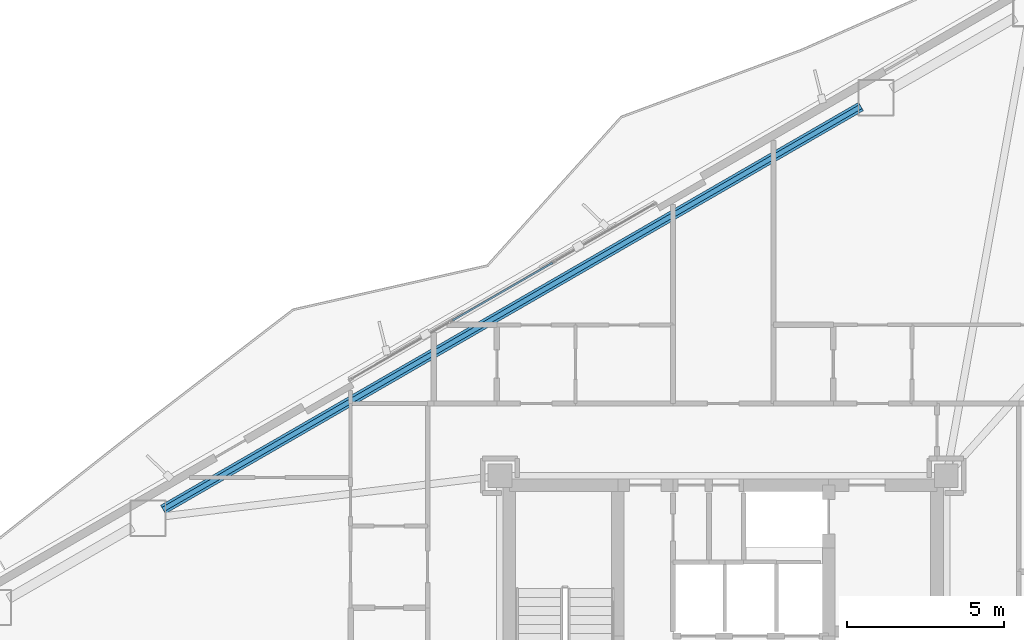
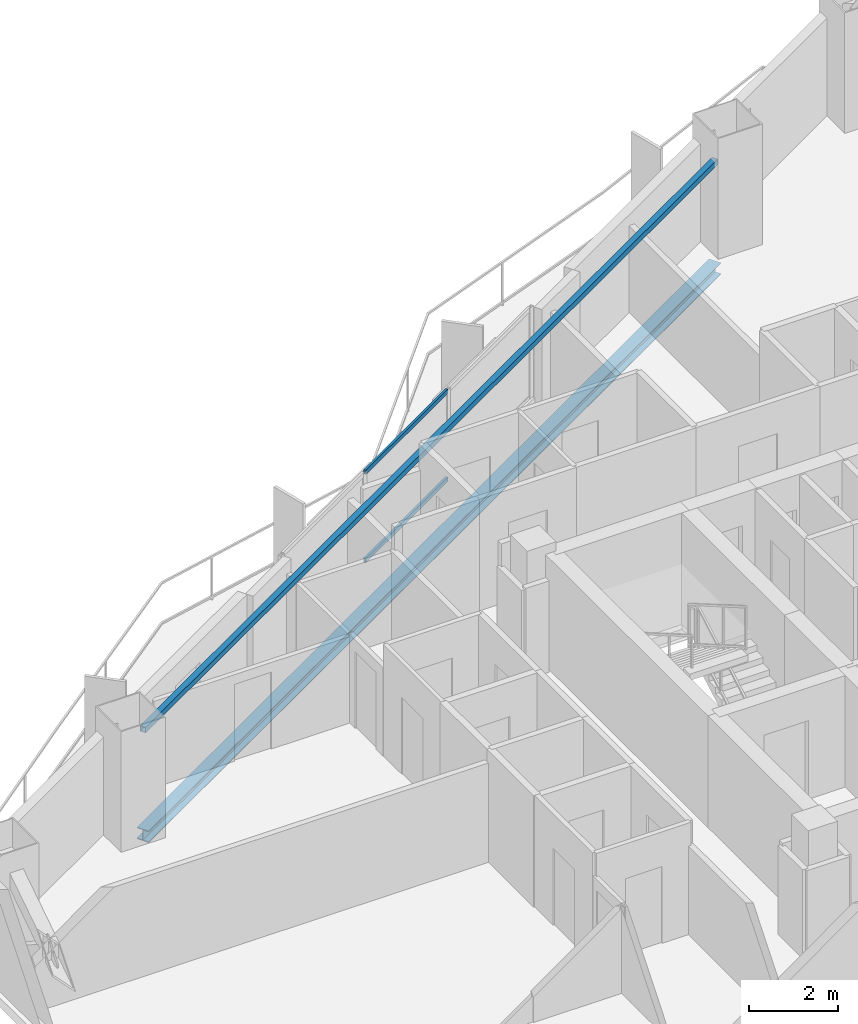
# One storey, part 12 of 23: 2 beams, 2 members, 1 element without a shape of its own.
"""IFC4 building model written with IfcOpenShell, lengths in metres."""

import ifcopenshell
import ifcopenshell.guid

model = None  # the IFC model being written
_history = None  # IfcOwnerHistory: only IFC2X3 demands one
_inside = {}  # id of a spatial element -> (the spatial element, [elements in it])
_under = {}  # id of a project, library or spatial element -> (it, [spatial elements below it])
_declared = {}  # id of a project -> (the project, [libraries it declares])
_typed = {}  # id of a type object -> (the type object, [elements of that type])
_made_of = {}  # id of a material, layer set ... -> (it, [elements and type objects made of it])


def new_model(schema):
    """Start an empty IFC model of exactly this schema.

    Asked for "IFC4X3", IfcOpenShell would pick the latest addendum, in which some entities
    have other attributes; the version numbers below select the first issue.
    IFC2X3 requires an IfcOwnerHistory on every rooted entity: one is made here for all.
    """
    global model, _history
    if schema == "IFC4X3":
        model = ifcopenshell.file(schema_version=(4, 3, 0, 0))
    else:
        model = ifcopenshell.file(schema=schema)
    _inside.clear()
    _under.clear()
    _declared.clear()
    _typed.clear()
    _made_of.clear()
    _history = None
    if model.schema == "IFC2X3":
        org = make("IfcOrganization", Name="unknown")
        user = make(
            "IfcPersonAndOrganization",
            ThePerson=make("IfcPerson", FamilyName="unknown"),
            TheOrganization=org,
        )
        app = make(
            "IfcApplication",
            ApplicationDeveloper=org,
            Version="unknown",
            ApplicationFullName="unknown",
            ApplicationIdentifier="unknown",
        )
        _history = make(
            "IfcOwnerHistory",
            OwningUser=user,
            OwningApplication=app,
            ChangeAction="ADDED",
            CreationDate=0,
        )
    return model


def make(cls, **values):
    """One entity of the class cls with the attributes given. An attribute that is None is left unset."""
    return model.create_entity(
        cls, **{name: value for name, value in values.items() if value is not None}
    )


def rooted(cls, **values):
    """An entity with a GlobalId (a new one), such as an element, a storey or a relation."""
    return make(cls, GlobalId=ifcopenshell.guid.new(), OwnerHistory=_history, **values)


def si_unit(unit_type, name, prefix=None):
    """IfcSIUnit, for example si_unit("LENGTHUNIT", "METRE", prefix="MILLI")."""
    return make("IfcSIUnit", UnitType=unit_type, Prefix=prefix, Name=name)


def assignment(units):
    """IfcUnitAssignment: the units of a project."""
    return None if units is None else make("IfcUnitAssignment", Units=units)


def point(xyz):
    """IfcCartesianPoint."""
    return None if xyz is None else make("IfcCartesianPoint", Coordinates=xyz)


def direction(xyz):
    """IfcDirection."""
    return None if xyz is None else make("IfcDirection", DirectionRatios=xyz)


def frame(location, z_axis=None, x_axis=None):
    """IfcAxis2Placement3D, a coordinate frame: its origin and axes. An axis left out is left unset."""
    return make(
        "IfcAxis2Placement3D",
        Location=point(location),
        Axis=direction(z_axis),
        RefDirection=direction(x_axis),
    )


def frame_2d(location, x_axis=None):
    """IfcAxis2Placement2D, a coordinate frame in the plane: its origin and x axis."""
    return make(
        "IfcAxis2Placement2D", Location=point(location), RefDirection=direction(x_axis)
    )


def origin():
    """The frame at (0, 0, 0) with its axes left unset."""
    return frame((0.0, 0.0, 0.0))


def origin_2d():
    """The frame at (0, 0) in the plane with its x axis left unset."""
    return frame_2d((0.0, 0.0))


def place(relative_to, where):
    """IfcLocalPlacement: puts the frame where relative to a parent placement (None: the world)."""
    return make(
        "IfcLocalPlacement", PlacementRelTo=relative_to, RelativePlacement=where
    )


def context(
    kind, dimensions, precision=None, world=None, true_north=None, identifier=None
):
    """IfcGeometricRepresentationContext, for example the 3D "Model" context."""
    return make(
        "IfcGeometricRepresentationContext",
        ContextIdentifier=identifier,
        ContextType=kind,
        CoordinateSpaceDimension=dimensions,
        Precision=precision,
        WorldCoordinateSystem=world,
        TrueNorth=true_north,
    )


def subcontext(parent, identifier, kind, view, scale=None):
    """IfcGeometricRepresentationSubContext, for example "Body" below "Model"."""
    return make(
        "IfcGeometricRepresentationSubContext",
        ContextIdentifier=identifier,
        ContextType=kind,
        ParentContext=parent,
        TargetScale=scale,
        TargetView=view,
    )


def project(units=None, contexts=None):
    """IfcProject with its units and contexts."""
    return rooted(
        "IfcProject",
        Name="project",
        RepresentationContexts=contexts,
        UnitsInContext=assignment(units),
    )


def spatial(cls, under=None, at=None, **own):
    """A site, building, storey or space (cls), placed at a placement, below another one or the project."""
    s = rooted(cls, ObjectPlacement=at, **own)
    if under is not None:
        _under.setdefault(under.id(), (under, []))[1].append(s)
    return s


def profile(cls, at=None, kind="AREA", **sizes):
    """A parametric profile (cls). Its sizes go by their IFC names, for example OverallWidth=200.0."""
    return make(cls, ProfileType=kind, Position=at, **sizes)


def hollow_rectangle(**sizes):
    """IfcRectangleHollowProfileDef."""
    return profile("IfcRectangleHollowProfileDef", **sizes)


def i_section(**sizes):
    """IfcIShapeProfileDef."""
    return profile("IfcIShapeProfileDef", **sizes)


def extrude(swept, where, along, depth):
    """IfcExtrudedAreaSolid: the profile swept, set in the frame where, extruded along a direction by depth."""
    return make(
        "IfcExtrudedAreaSolid",
        SweptArea=swept,
        Position=where,
        ExtrudedDirection=direction(along),
        Depth=depth,
    )


def shape(context_of_items, identifier, shape_type, items):
    """IfcShapeRepresentation: the items that make up one representation, for example the "Body"."""
    return make(
        "IfcShapeRepresentation",
        ContextOfItems=context_of_items,
        RepresentationIdentifier=identifier,
        RepresentationType=shape_type,
        Items=items,
    )


def material(Name=None, Category=None):
    """IfcMaterial."""
    return make("IfcMaterial", Name=Name, Category=Category)


def layer(
    of_material, thickness, ventilated=None, Name=None, Category=None, Priority=None
):
    """IfcMaterialLayer: one layer of a wall or slab, of a material (None: an air gap)."""
    return make(
        "IfcMaterialLayer",
        Material=of_material,
        LayerThickness=thickness,
        IsVentilated=ventilated,
        Name=Name,
        Category=Category,
        Priority=Priority,
    )


def layer_set(layers, Name=None):
    """IfcMaterialLayerSet."""
    return make("IfcMaterialLayerSet", MaterialLayers=layers, LayerSetName=Name)


def material_profile(
    of_material, cross_section, Name=None, Category=None, Priority=None
):
    """IfcMaterialProfile: a cross section and its material."""
    return make(
        "IfcMaterialProfile",
        Name=Name,
        Material=of_material,
        Profile=cross_section,
        Priority=Priority,
        Category=Category,
    )


def profile_set(profiles, Name=None, composite=None):
    """IfcMaterialProfileSet."""
    return make(
        "IfcMaterialProfileSet",
        Name=Name,
        MaterialProfiles=profiles,
        CompositeProfile=composite,
    )


def made_of(thing, what):
    """Note that an element or type object is made of a material, layer set ...; save() writes the relation."""
    if what is not None:
        _made_of.setdefault(what.id(), (what, []))[1].append(thing)
    return thing


def type_object(cls, material=None, **own):
    """A type object (cls), such as IfcWallType, which elements share."""
    return made_of(rooted(cls, **own), material)


def element(
    cls,
    number,
    at=None,
    inside=None,
    cuts=None,
    type_object=None,
    material=None,
    context=None,
    identifier="Body",
    shape_type=None,
    held_by="IfcProductDefinitionShape",
    body=None,
    shapes=None,
    **own,
):
    """One element of the class cls, such as IfcWall. Its Tag is "e" and its number.

    at: its placement. inside: the storey or other place that contains it. cuts: it is an
    opening in that element (IfcRelVoidsElement). A single representation is given by context,
    identifier, shape_type and body (its items); several are given by shapes. held_by: the class
    of the entity that holds the representations. save() writes the other relations.
    """
    e = rooted(cls, Tag="e%d" % number, ObjectPlacement=at, **own)
    if body is not None:
        shapes = [shape(context, identifier, shape_type, body)]
    if shapes is not None:
        e.Representation = make(held_by, Representations=shapes)
    if inside is not None:
        _inside.setdefault(inside.id(), (inside, []))[1].append(e)
    if cuts is not None:
        rooted(
            "IfcRelVoidsElement", RelatingBuildingElement=cuts, RelatedOpeningElement=e
        )
    if type_object is not None:
        _typed.setdefault(type_object.id(), (type_object, []))[1].append(e)
    return made_of(e, material)


def aggregate(whole, parts):
    """IfcRelAggregates: a whole, such as a stair, and the parts it consists of."""
    return rooted("IfcRelAggregates", RelatingObject=whole, RelatedObjects=parts)


def save(model, path):
    """Write the relations noted so far, then the file.

    IfcRelAggregates (storeys below a building ...), IfcRelContainedInSpatialStructure (elements
    in a storey), IfcRelDefinesByType, IfcRelAssociatesMaterial and IfcRelDeclares: one each for
    every whole, place, type object, material and project.
    """
    for whole, parts in _under.values():
        aggregate(whole, parts)
    for where, things in _inside.values():
        rooted(
            "IfcRelContainedInSpatialStructure",
            RelatedElements=things,
            RelatingStructure=where,
        )
    for kind, things in _typed.values():
        rooted("IfcRelDefinesByType", RelatedObjects=things, RelatingType=kind)
    for what, things in _made_of.values():
        rooted("IfcRelAssociatesMaterial", RelatedObjects=things, RelatingMaterial=what)
    for by, libraries in _declared.values():
        rooted("IfcRelDeclares", RelatingContext=by, RelatedDefinitions=libraries)
    model.write(path)


model = new_model("IFC4")

# Units and contexts
model_context = context("Model", 3, precision=1e-05, world=origin(), true_north=direction((0.0, 1.0)))
body_context = subcontext(model_context, "Body", "Model", "MODEL_VIEW")
ifc_project = project(units=[si_unit("LENGTHUNIT", "METRE"), si_unit("AREAUNIT", "SQUARE_METRE"), si_unit("VOLUMEUNIT", "CUBIC_METRE"), si_unit("PLANEANGLEUNIT", "RADIAN"), si_unit("MASSUNIT", "GRAM", prefix="KILO")], contexts=[model_context])

# Site, building, storey
site_placement = place(None, origin())
site = spatial("IfcSite", under=ifc_project, at=site_placement, CompositionType="ELEMENT")
building_placement = place(site_placement, origin())
building = spatial("IfcBuilding", under=site, at=building_placement, Name="Mersakhor Tower and Convention Hall", CompositionType="ELEMENT")
storey_placement = place(building_placement, frame((0.0, 0.0, 106.5)))
storey = spatial("IfcBuildingStorey", under=building, at=storey_placement, Name="L29", CompositionType="ELEMENT", Elevation=106.5)

# Beams
ifc_material_1 = material(Name="Steel S355", Category="steel")
ifc_material_profile_1 = material_profile(ifc_material_1, hollow_rectangle(XDim=0.14990234375, YDim=0.14990234375, WallThickness=0.010009765625, at=origin_2d()), Name="SHS 150x150x10")
ifc_profile_set_1 = profile_set([ifc_material_profile_1], Name="Steel S355")
beam_type_1 = type_object("IfcBeamType", Name="BM-GRT-SHS150", PredefinedType="USERDEFINED", material=ifc_profile_set_1)
beam_1_placement = place(storey_placement, frame((11.18310546875, 31.976318359375, 2.47998046875), z_axis=(0.866022538643, 0.500004962538, 0.0), x_axis=(-0.500004962538, 0.866022538643, 0.0)))
element("IfcBeam", 1, at=beam_1_placement, inside=storey, type_object=beam_type_1, Name="L29 Facade Support Girt GRT-F1", ObjectType="GIRT", PredefinedType="USERDEFINED", context=body_context, shape_type="SweptSolid", body=[
    extrude(hollow_rectangle(XDim=0.14990234375, YDim=0.14990234375, WallThickness=0.010009765625, at=origin_2d()), origin(), (0.0, 0.0, 1.0), 25.633544921875),
])
ifc_material_2 = material(Name="Steel S355", Category="steel")
ifc_material_profile_2 = material_profile(ifc_material_2, i_section(OverallWidth=0.30908203125, OverallDepth=0.320556640625, WebThickness=0.013916015625, FlangeThickness=0.021728515625, at=origin_2d()), Name="UC 305x305x137")
ifc_profile_set_2 = profile_set([ifc_material_profile_2], Name="Steel S355")
beam_type_2 = type_object("IfcBeamType", Name="BM-SPD-UC305", PredefinedType="SPANDREL", material=ifc_profile_set_2)
beam_2_placement = place(storey_placement, frame((11.18310546875, 31.976318359375, -0.410400390625), z_axis=(0.866022538643, 0.500004962538, 0.0), x_axis=(-0.500004962538, 0.866022538643, 0.0)))
element("IfcBeam", 2, at=beam_2_placement, inside=storey, type_object=beam_type_2, Name="L29 Perimeter Spandrel Beam SPB-02", PredefinedType="SPANDREL", context=body_context, shape_type="SweptSolid", body=[
    extrude(i_section(OverallWidth=0.30908203125, OverallDepth=0.320556640625, WebThickness=0.013916015625, FlangeThickness=0.021728515625, at=origin_2d()), origin(), (0.0, 0.0, 1.0), 25.633544921875),
])

# Curtain wall, members
ifc_material_3 = material(Name="Dark solar low-E aluminium curtain wall", Category="aluminium")
ifc_layer = layer(ifc_material_3, 0.159912109375)
ifc_layer_set = layer_set([ifc_layer], Name="Dark solar low-E aluminium curtain wall")
curtain_wall_type = type_object("IfcCurtainWallType", Name="CW-SYS-01", PredefinedType="USERDEFINED", material=ifc_layer_set)
curtain_wall_placement = place(storey_placement, origin())
curtain_wall = element("IfcCurtainWall", 3, at=curtain_wall_placement, inside=storey, type_object=curtain_wall_type, Name="L29 Dark-Glass Curtain Wall F1-B2", ObjectType="CURTAIN WALL", PredefinedType="USERDEFINED")
ifc_material_4 = material(Name="Anodised aluminium EN AW-6063 T6", Category="aluminium")
ifc_material_profile_3 = material_profile(ifc_material_4, hollow_rectangle(XDim=0.06005859375, YDim=0.1201171875, WallThickness=0.0048828125, at=origin_2d()), Name="RHS 120x60x5")
ifc_profile_set_3 = profile_set([ifc_material_profile_3], Name="Anodised aluminium EN AW-6063 T6")
member_type = type_object("IfcMemberType", Name="CWT-120x60", PredefinedType="USERDEFINED", material=ifc_profile_set_3)
member_1_placement = place(storey_placement, frame((20.394287109375, 37.9873046875, 0.22998046875), z_axis=(0.866039286129, 0.499975954304, 0.0), x_axis=(-0.499975954304, 0.866039286129, 0.0)))
member_1 = element("IfcMember", 4, at=member_1_placement, type_object=member_type, Name="CW-01 transom 2.1", ObjectType="TRANSOM", PredefinedType="USERDEFINED", context=body_context, shape_type="SweptSolid", body=[
    extrude(hollow_rectangle(XDim=0.06005859375, YDim=0.1201171875, WallThickness=0.0048828125, at=origin_2d()), origin(), (0.0, 0.0, 1.0), 3.668212890625),
])
member_2_placement = place(storey_placement, frame((20.394287109375, 37.9873046875, 2.639892578125), z_axis=(0.866039286129, 0.499975954304, 0.0), x_axis=(-0.499975954304, 0.866039286129, 0.0)))
member_2 = element("IfcMember", 5, at=member_2_placement, type_object=member_type, Name="CW-01 transom 2.2", ObjectType="TRANSOM", PredefinedType="USERDEFINED", context=body_context, shape_type="SweptSolid", body=[
    extrude(hollow_rectangle(XDim=0.06005859375, YDim=0.1201171875, WallThickness=0.0048828125, at=origin_2d()), origin(), (0.0, 0.0, 1.0), 3.668212890625),
])
aggregate(curtain_wall, [member_1, member_2])

save(model, "model.ifc")
